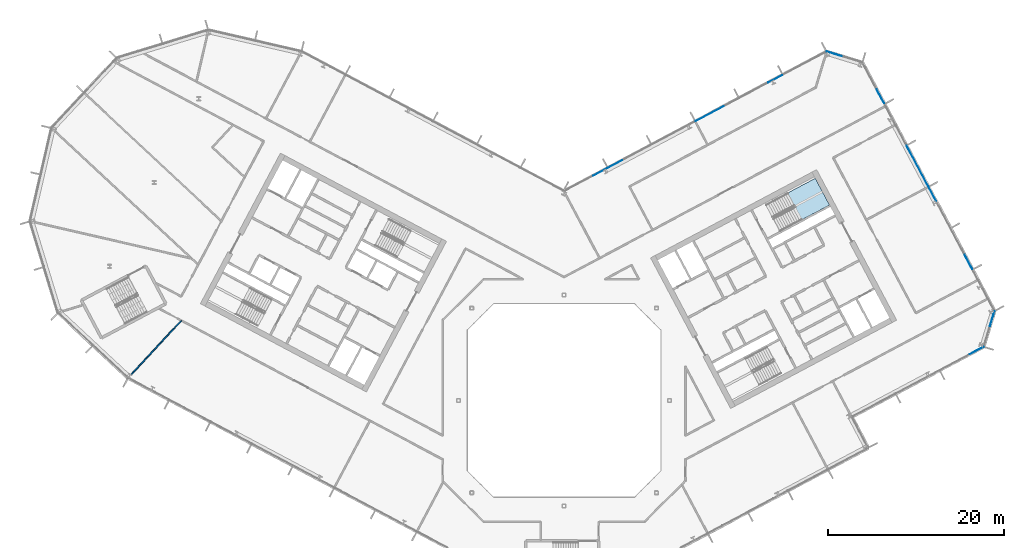
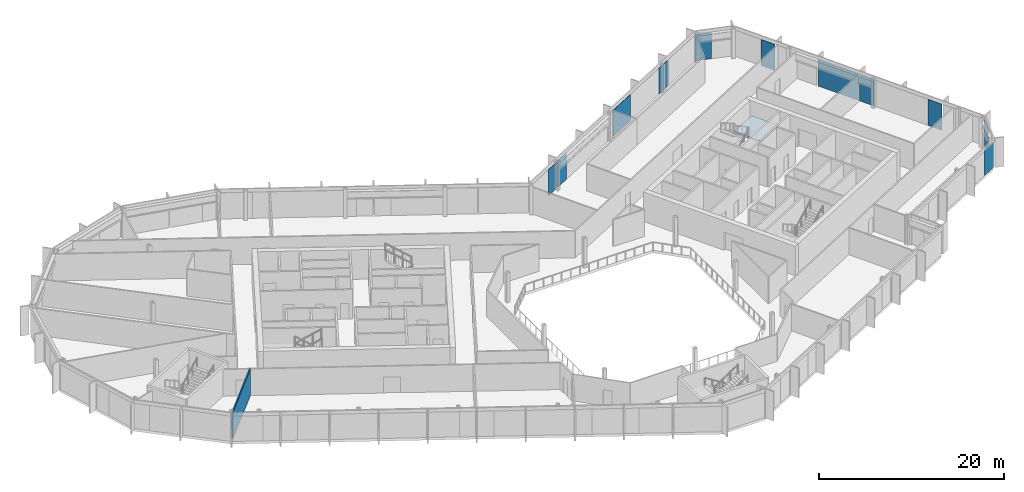
# One storey, part 11 of 26: 11 plates, 1 slab, 1 wall, 6 elements without a shape of their own.
"""IFC4 building model written with IfcOpenShell, lengths in metres."""

from ifc_helpers import new_model, si_unit, direction, frame, frame_2d, origin, origin_2d, place, context, subcontext, project, spatial, polyline, rectangle, outline, extrude, material, layer, layer_set, type_object, element, aggregate, save


model = new_model("IFC4")

# Units and contexts
model_context = context("Model", 3, precision=1e-05, world=origin(), true_north=direction((0.0, 1.0)))
body_context = subcontext(model_context, "Body", "Model", "MODEL_VIEW")
ifc_project = project(units=[si_unit("LENGTHUNIT", "METRE"), si_unit("AREAUNIT", "SQUARE_METRE"), si_unit("VOLUMEUNIT", "CUBIC_METRE"), si_unit("PLANEANGLEUNIT", "RADIAN"), si_unit("MASSUNIT", "GRAM", prefix="KILO")], contexts=[model_context])

# Site, building, storey
site_placement = place(None, origin())
site = spatial("IfcSite", under=ifc_project, at=site_placement, CompositionType="ELEMENT")
building_placement = place(site_placement, origin())
building = spatial("IfcBuilding", under=site, at=building_placement, Name="Cormorant Relay Tower", CompositionType="ELEMENT")
storey_placement = place(building_placement, frame((0.0, 0.0, 193.5)))
storey = spatial("IfcBuildingStorey", under=building, at=storey_placement, Name="L41", CompositionType="ELEMENT", Elevation=193.5)

# Curtain wall, plate
ifc_material_1 = material(Name="Aluminium 6063-T6 anodised bronze", Category="aluminium")
ifc_layer_1 = layer(ifc_material_1, 0.199951171875)
ifc_layer_set_1 = layer_set([ifc_layer_1], Name="CW1 unitised bronze curtain wall with vertical fins")
curtain_wall_type = type_object("IfcCurtainWallType", Name="CW1 unitised bronze curtain wall with vertical fins", PredefinedType="NOTDEFINED", material=ifc_layer_set_1)
curtain_wall_1_placement = place(storey_placement, origin())
curtain_wall_1 = element("IfcCurtainWall", 1, at=curtain_wall_1_placement, inside=storey, type_object=curtain_wall_type, Name="CW1 curtain wall 4", PredefinedType="NOTDEFINED")
ifc_material_2 = material(Name="Tinted laminated glass", Category="glass")
ifc_layer_2 = layer(ifc_material_2, 0.0400390625)
ifc_layer_set_2 = layer_set([ifc_layer_2], Name="CW1 tinted vision panel 1800 module")
plate_type_1 = type_object("IfcPlateType", Name="CW1 tinted vision panel 1800 module", PredefinedType="CURTAIN_PANEL", material=ifc_layer_set_2)
plate_1_placement = place(storey_placement, frame((46.928466796875, 5.67578125, 0.0), z_axis=(0.0, 0.0, 1.0), x_axis=(0.882947592859, 0.469471562786, 0.0)))
plate_1 = element("IfcPlate", 2, at=plate_1_placement, type_object=plate_type_1, Name="CW1 panel V03", PredefinedType="CURTAIN_PANEL", context=body_context, shape_type="SweptSolid", body=[
    extrude(rectangle(XDim=1.800048828125, YDim=0.0400390625, at=origin_2d()), origin(), (0.0, 0.0, 1.0), 3.449951171875),
])
aggregate(curtain_wall_1, [plate_1])

curtain_wall_2_placement = place(storey_placement, origin())
curtain_wall_2 = element("IfcCurtainWall", 3, at=curtain_wall_2_placement, inside=storey, type_object=curtain_wall_type, Name="CW1 curtain wall 5", PredefinedType="NOTDEFINED")
plate_2_placement = place(storey_placement, frame((48.710205078125, 9.306884765625, 0.0), z_axis=(0.0, 0.0, 1.0), x_axis=(0.292371704723, 0.956304755963, 0.0)))
plate_2 = element("IfcPlate", 4, at=plate_2_placement, type_object=plate_type_1, Name="CW1 panel V01", PredefinedType="CURTAIN_PANEL", context=body_context, shape_type="SweptSolid", body=[
    extrude(rectangle(XDim=1.800048828125, YDim=0.0400390625, at=origin_2d()), origin(), (0.0, 0.0, 1.0), 3.449951171875),
])
aggregate(curtain_wall_2, [plate_2])

# Curtain wall, plates
curtain_wall_3_placement = place(storey_placement, origin())
curtain_wall_3 = element("IfcCurtainWall", 5, at=curtain_wall_3_placement, inside=storey, type_object=curtain_wall_type, Name="CW1 curtain wall 6", PredefinedType="NOTDEFINED")
plate_3_placement = place(storey_placement, frame((46.01025390625, 15.752685546875, 0.0), z_axis=(0.0, 0.0, 1.0), x_axis=(-0.469471562786, 0.882947592859, 0.0)))
plate_3 = element("IfcPlate", 6, at=plate_3_placement, type_object=plate_type_1, Name="CW1 panel V01", PredefinedType="CURTAIN_PANEL", context=body_context, shape_type="SweptSolid", body=[
    extrude(rectangle(XDim=1.800048828125, YDim=0.0400390625, at=origin_2d()), origin(), (0.0, 0.0, 1.0), 3.449951171875),
])
plate_4_placement = place(storey_placement, frame((41.91796875, 23.448974609375, 0.0), z_axis=(0.0, 0.0, 1.0), x_axis=(-0.469471562786, 0.882947592859, 0.0)))
plate_4 = element("IfcPlate", 7, at=plate_4_placement, type_object=plate_type_1, Name="CW1 panel V03", PredefinedType="CURTAIN_PANEL", context=body_context, shape_type="SweptSolid", body=[
    extrude(rectangle(XDim=1.800048828125, YDim=0.0400390625, at=origin_2d()), origin(), (0.0, 0.0, 1.0), 3.449951171875),
])
plate_5_placement = place(storey_placement, frame((35.994873046875, 34.5888671875, 0.0), z_axis=(0.0, 0.0, 1.0), x_axis=(-0.469471562786, 0.882947592859, 0.0)))
plate_5 = element("IfcPlate", 8, at=plate_5_placement, type_object=plate_type_1, Name="CW1 panel V06", PredefinedType="CURTAIN_PANEL", context=body_context, shape_type="SweptSolid", body=[
    extrude(rectangle(XDim=1.800048828125, YDim=0.0400390625, at=origin_2d()), origin(), (0.0, 0.0, 1.0), 3.449951171875),
])

# Curtain wall, plate
curtain_wall_4_placement = place(storey_placement, origin())
curtain_wall_4 = element("IfcCurtainWall", 9, at=curtain_wall_4_placement, inside=storey, type_object=curtain_wall_type, Name="CW1 curtain wall 7", PredefinedType="NOTDEFINED")
plate_6_placement = place(storey_placement, frame((30.740234375, 39.424072265625, 0.0), z_axis=(0.0, 0.0, 1.0), x_axis=(-0.956304755963, 0.292371704723, 0.0)))
plate_6 = element("IfcPlate", 10, at=plate_6_placement, type_object=plate_type_1, Name="CW1 panel V01", PredefinedType="CURTAIN_PANEL", context=body_context, shape_type="SweptSolid", body=[
    extrude(rectangle(XDim=1.800048828125, YDim=0.0400390625, at=origin_2d()), origin(), (0.0, 0.0, 1.0), 3.449951171875),
])
aggregate(curtain_wall_4, [plate_6])

# Curtain wall, plates
curtain_wall_5_placement = place(storey_placement, origin())
curtain_wall_5 = element("IfcCurtainWall", 11, at=curtain_wall_5_placement, inside=storey, type_object=curtain_wall_type, Name="CW1 curtain wall 8", PredefinedType="NOTDEFINED")
plate_7_placement = place(storey_placement, frame((24.0244140625, 36.580810546875, 0.0), z_axis=(0.0, 0.0, 1.0), x_axis=(-0.882947592859, -0.469471562786, 0.0)))
plate_7 = element("IfcPlate", 12, at=plate_7_placement, type_object=plate_type_1, Name="CW1 panel V01", PredefinedType="CURTAIN_PANEL", context=body_context, shape_type="SweptSolid", body=[
    extrude(rectangle(XDim=1.800048828125, YDim=0.0400390625, at=origin_2d()), origin(), (0.0, 0.0, 1.0), 3.449951171875),
])
plate_8_placement = place(storey_placement, frame((5.830322265625, 26.90673828125, 0.0), z_axis=(0.0, 0.0, 1.0), x_axis=(-0.882947592859, -0.469471562786, 0.0)))
plate_8 = element("IfcPlate", 13, at=plate_8_placement, type_object=plate_type_1, Name="CW1 panel V05", PredefinedType="CURTAIN_PANEL", context=body_context, shape_type="SweptSolid", body=[
    extrude(rectangle(XDim=1.800048828125, YDim=0.0400390625, at=origin_2d()), origin(), (0.0, 0.0, 1.0), 3.449951171875),
])
plate_9_placement = place(storey_placement, frame((4.108642578125, 25.9912109375, 0.0), z_axis=(0.0, 0.0, 1.0), x_axis=(-0.882947592859, -0.469471562786, 0.0)))
plate_9 = element("IfcPlate", 14, at=plate_9_placement, type_object=plate_type_1, Name="CW1 panel V06", PredefinedType="CURTAIN_PANEL", context=body_context, shape_type="SweptSolid", body=[
    extrude(rectangle(XDim=1.800048828125, YDim=0.0400390625, at=origin_2d()), origin(), (0.0, 0.0, 1.0), 3.449951171875),
])
ifc_material_3 = material(Name="Tinted laminated glass", Category="glass")
ifc_layer_3 = layer(ifc_material_3, 0.0400390625)
ifc_layer_set_3 = layer_set([ifc_layer_3], Name="CW1 tinted vision panel 3600 module")
plate_type_2 = type_object("IfcPlateType", Name="CW1 tinted vision panel 3600 module", PredefinedType="CURTAIN_PANEL", material=ifc_layer_set_3)
plate_10_placement = place(storey_placement, frame((16.5830078125, 32.6240234375, 0.0), z_axis=(0.0, 0.0, 1.0), x_axis=(-0.882947592859, -0.469471562786, 0.0)))
plate_10 = element("IfcPlate", 15, at=plate_10_placement, type_object=plate_type_2, Name="CW1 panel V03", PredefinedType="CURTAIN_PANEL", context=body_context, shape_type="SweptSolid", body=[
    extrude(rectangle(XDim=3.60009765625, YDim=0.0400390625, at=origin_2d()), origin(), (0.0, 0.0, 1.0), 3.449951171875),
])
aggregate(curtain_wall_5, [plate_7, plate_10, plate_8, plate_9])

# Plate
ifc_material_4 = material(Name="Tinted laminated glass", Category="glass")
ifc_layer_4 = layer(ifc_material_4, 0.0400390625)
ifc_layer_set_4 = layer_set([ifc_layer_4], Name="CW1 tinted vision panel 5400 module")
plate_type_3 = type_object("IfcPlateType", Name="CW1 tinted vision panel 5400 module", PredefinedType="CURTAIN_PANEL", material=ifc_layer_set_4)
plate_11_placement = place(storey_placement, frame((40.208251953125, 26.664306640625, 0.0), z_axis=(0.0, 0.0, 1.0), x_axis=(-0.469471562786, 0.882947592859, 0.0)))
plate_11 = element("IfcPlate", 16, at=plate_11_placement, type_object=plate_type_3, Name="CW1 panel V04", PredefinedType="CURTAIN_PANEL", context=body_context, shape_type="SweptSolid", body=[
    extrude(rectangle(XDim=5.183349609375, YDim=0.0400390625, at=origin_2d()), origin(), (0.0, 0.0, 1.0), 3.449951171875),
])

aggregate(curtain_wall_3, [plate_3, plate_4, plate_11, plate_5])

# Stair, slab
ifc_material_5 = material(Name="Concrete 40 MPa", Category="concrete")
stair_type = type_object("IfcStairType", Name="Exit stair 1500", PredefinedType="HALF_TURN_STAIR", material=ifc_material_5)
stair_placement = place(storey_placement, origin())
stair = element("IfcStair", 17, at=stair_placement, inside=storey, type_object=stair_type, Name="L41 Stair", PredefinedType="HALF_TURN_STAIR")
ifc_material_6 = material(Name="Concrete 40 MPa", Category="concrete")
ifc_layer_5 = layer(ifc_material_6, 0.199951171875)
ifc_layer_set_5 = layer_set([ifc_layer_5], Name="Exit stair landing 200")
slab_type = type_object("IfcSlabType", Name="Exit stair landing 200", PredefinedType="LANDING", material=ifc_layer_set_5)
slab_placement = place(storey_placement, frame((0.0, 0.0, 1.75)))
slab = element("IfcSlab", 18, at=slab_placement, type_object=slab_type, Name="B2 landing 1", PredefinedType="LANDING", context=body_context, shape_type="SweptSolid", body=[
    extrude(outline(polyline([(27.064208984375, 20.562744140625), (30.19873046875, 22.2294921875), (28.5791015625, 25.275634765625), (25.444580078125, 23.60888671875), (27.064208984375, 20.562744140625)])), origin(), (0.0, 0.0, 1.0), 0.199951171875),
])
aggregate(stair, [slab])

# Wall
ifc_material_7 = material(Name="Gypsum board partition")
ifc_layer_6 = layer(ifc_material_7, 0.14990234375)
ifc_layer_set_6 = layer_set([ifc_layer_6], Name="Tenant partition 150")
wall_type = type_object("IfcWallType", Name="Tenant partition 150", PredefinedType="PARTITIONING", material=ifc_layer_set_6)
wall_placement = place(storey_placement, frame((-43.51904296875, 9.095947265625, 0.0), z_axis=(0.0, 0.0, 1.0), x_axis=(-0.681976527411, -0.731374060287, 0.0)))
element("IfcWall", 19, at=wall_placement, inside=storey, type_object=wall_type, Name="wall/L41/part/009", PredefinedType="PARTITIONING", context=body_context, shape_type="SweptSolid", body=[
    extrude(rectangle(XDim=8.402099609375, YDim=0.14990234375, at=frame_2d((4.201171875, 0.0))), origin(), (0.0, 0.0, 1.0), 3.5400390625),
])

save(model, "model.ifc")
